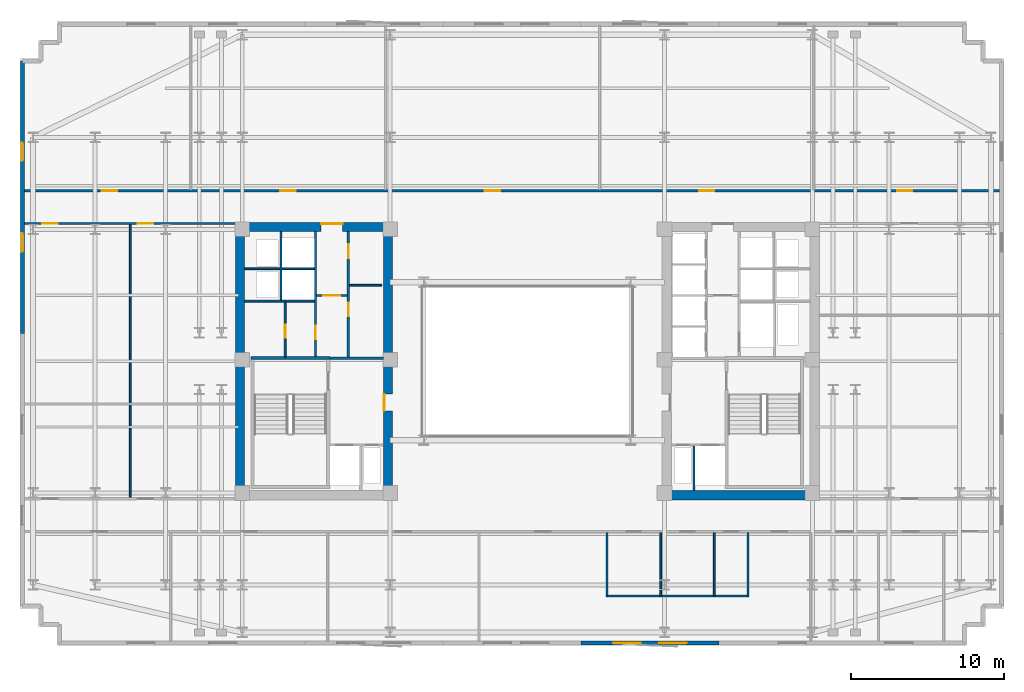
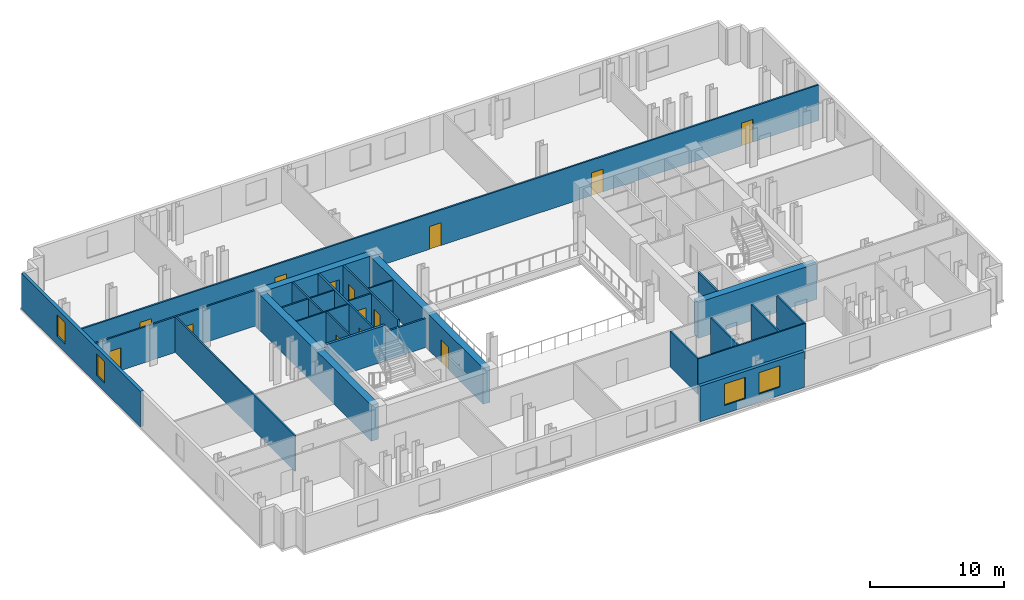
# One storey, part 5 of 9: 26 walls, 14 doors, 4 windows, 18 openings.
"""IFC4 building model written with IfcOpenShell, lengths in metres."""

from ifc_helpers import new_model, si_unit, direction, frame, frame_2d, origin, place, context, subcontext, project, spatial, rectangle, extrude, material, layer, layer_set, type_object, element, fill, save


model = new_model("IFC4")

# Units and contexts
model_context = context("Model", 3, precision=1e-05, world=origin(), true_north=direction((0.0, 1.0)))
body_context = subcontext(model_context, "Body", "Model", "MODEL_VIEW")
ifc_project = project(units=[si_unit("LENGTHUNIT", "METRE"), si_unit("AREAUNIT", "SQUARE_METRE"), si_unit("VOLUMEUNIT", "CUBIC_METRE"), si_unit("PLANEANGLEUNIT", "RADIAN"), si_unit("MASSUNIT", "GRAM", prefix="KILO")], contexts=[model_context])

# Site, building, storey
site_placement = place(None, origin())
site = spatial("IfcSite", under=ifc_project, at=site_placement, CompositionType="ELEMENT")
building_placement = place(site_placement, origin())
building = spatial("IfcBuilding", under=site, at=building_placement, Name="Velakula Bourse", CompositionType="ELEMENT")
storey_placement = place(building_placement, frame((0.0, 0.0, 131.199951171875)))
storey = spatial("IfcBuildingStorey", under=building, at=storey_placement, Name="L35", CompositionType="ELEMENT", Elevation=131.199951171875)

# Wall
ifc_material_1 = material(Name="Concrete M50 (fck 50 MPa)", Category="concrete")
ifc_layer_1 = layer(ifc_material_1, 0.2099609375, Name="Concrete M50 (fck 50 MPa)", Category="concrete")
ifc_layer_set_1 = layer_set([ifc_layer_1], Name="Concrete M50 (fck 50 MPa)")
wall_type_1 = type_object("IfcWallType", Name="WL-CORE-210", PredefinedType="SHEAR", material=ifc_layer_set_1)
wall_1_placement = place(storey_placement, frame((-12.889892578125, 0.205078125, 0.0), z_axis=(0.0, 0.0, 1.0), x_axis=(-1.0, 0.0, 0.0)))
element("IfcWall", 1, at=wall_1_placement, inside=storey, type_object=wall_type_1, Name="L35 Core W Stairwell Shear Wall N", PredefinedType="SHEAR", context=body_context, shape_type="SweptSolid", body=[
    extrude(rectangle(XDim=5.14013671875, YDim=0.2099609375, at=frame_2d((2.570068359375, 0.0))), origin(), (0.0, 0.0, 1.0), 3.27001953125),
])

# Wall, opening, door
ifc_material_2 = material(Name="Concrete M70 (fck 70 MPa)", Category="concrete")
ifc_layer_2 = layer(ifc_material_2, 0.60009765625, Name="Concrete M70 (fck 70 MPa)", Category="concrete")
ifc_layer_set_2 = layer_set([ifc_layer_2], Name="Concrete M70 (fck 70 MPa)")
wall_type_2 = type_object("IfcWallType", Name="WL-CORE-600", PredefinedType="SHEAR", material=ifc_layer_set_2)
wall_2_placement = place(storey_placement, frame((-19.050048828125, 8.75, 0.0), z_axis=(0.0, 0.0, 1.0), x_axis=(1.0, 0.0, 0.0)))
wall_2 = element("IfcWall", 2, at=wall_2_placement, inside=storey, type_object=wall_type_2, Name="L35 Core W Shear Wall N", PredefinedType="SHEAR", context=body_context, shape_type="SweptSolid", body=[
    extrude(rectangle(XDim=10.25, YDim=0.60009765625, at=frame_2d((5.125, 0.0))), origin(), (0.0, 0.0, 1.0), 3.27001953125),
])
opening_1_placement = place(wall_2_placement, frame((5.60009765625, 0.0, 0.0)))
opening_1 = element("IfcOpeningElement", 3, at=opening_1_placement, cuts=wall_2, Name="Opening D-LLW", PredefinedType="OPENING", context=body_context, shape_type="SweptSolid", body=[
    extrude(rectangle(XDim=1.39990234375, YDim=2.050048828125, at=frame_2d((0.699951171875, 1.02490234375))), frame((0.0, 0.31005859375, 0.0), z_axis=(0.0, -1.0, 0.0), x_axis=(1.0, 0.0, 0.0)), (0.0, 0.0, 1.0), 0.6201171875),
])
ifc_material_3 = material(Name="Fire-rated hardwood flush architectural door", Category="wood")
door_type_1 = type_object("IfcDoorType", Name="DR-DBL-FD60-1400", OperationType="DOUBLE_DOOR_SINGLE_SWING", PredefinedType="DOOR", material=ifc_material_3)
door_1_placement = place(opening_1_placement, origin())
door_1 = element("IfcDoor", 4, at=door_1_placement, inside=storey, type_object=door_type_1, Name="L35 Core W Lift Lobby Corridor Double Door", OperationType="DOUBLE_DOOR_SINGLE_SWING", OverallHeight=2.050048828125, OverallWidth=1.39990234375, PredefinedType="DOOR", context=body_context, shape_type="SweptSolid", body=[
    extrude(rectangle(XDim=1.39990234375, YDim=2.050048828125, at=frame_2d((0.699951171875, 1.02490234375))), frame((0.0, 0.2451171875, 0.0), z_axis=(0.0, -1.0, 0.0), x_axis=(1.0, 0.0, 0.0)), (0.0, 0.0, 1.0), 0.050048828125),
])
fill(opening_1, door_1)

# Wall
wall_3_placement = place(storey_placement, frame((-18.75, -8.449951171875, 0.0), z_axis=(0.0, 0.0, 1.0), x_axis=(0.0, 1.0, 0.0)))
element("IfcWall", 5, at=wall_3_placement, inside=storey, type_object=wall_type_2, Name="L35 Core W Shear Wall W", PredefinedType="SHEAR", context=body_context, shape_type="SweptSolid", body=[
    extrude(rectangle(XDim=16.89990234375, YDim=0.60009765625, at=frame_2d((8.449951171875, 0.0))), origin(), (0.0, 0.0, 1.0), 3.27001953125),
])

# Wall, opening, door
wall_4_placement = place(storey_placement, frame((-9.10009765625, -8.449951171875, 0.0), z_axis=(0.0, 0.0, 1.0), x_axis=(0.0, 1.0, 0.0)))
wall_4 = element("IfcWall", 6, at=wall_4_placement, inside=storey, type_object=wall_type_2, Name="L35 Core W Shear Wall E", PredefinedType="SHEAR", context=body_context, shape_type="SweptSolid", body=[
    extrude(rectangle(XDim=16.89990234375, YDim=0.60009765625, at=frame_2d((8.449951171875, 0.0))), origin(), (0.0, 0.0, 1.0), 3.27001953125),
])
opening_2_placement = place(wall_4_placement, frame((5.199951171875, 0.0, 0.0)))
opening_2 = element("IfcOpeningElement", 7, at=opening_2_placement, cuts=wall_4, Name="Opening D-FLW", PredefinedType="OPENING", context=body_context, shape_type="SweptSolid", body=[
    extrude(rectangle(XDim=1.10009765625, YDim=2.080078125, at=frame_2d((0.550048828125, 1.0400390625))), frame((0.0, 0.31005859375, 0.0), z_axis=(0.0, -1.0, 0.0), x_axis=(1.0, 0.0, 0.0)), (0.0, 0.0, 1.0), 0.6201171875),
])
ifc_material_4 = material(Name="Galvanised painted hollow steel fire door", Category="steel")
door_type_2 = type_object("IfcDoorType", Name="DR-FD120-1100", OperationType="NOTDEFINED", PredefinedType="DOOR", material=ifc_material_4)
door_2_placement = place(opening_2_placement, origin())
door_2 = element("IfcDoor", 8, at=door_2_placement, inside=storey, type_object=door_type_2, Name="L35 Firefighting Lobby W Corridor Fire Door", OperationType="SINGLE_SWING_LEFT", OverallHeight=2.080078125, OverallWidth=1.10009765625, PredefinedType="DOOR", context=body_context, shape_type="SweptSolid", body=[
    extrude(rectangle(XDim=1.10009765625, YDim=2.080078125, at=frame_2d((0.550048828125, 1.0400390625))), frame((0.0, 0.2548828125, 0.0), z_axis=(0.0, -1.0, 0.0), x_axis=(1.0, 0.0, 0.0)), (0.0, 0.0, 1.0), 0.050048828125),
])
fill(opening_2, door_2)

# Wall
wall_5_placement = place(storey_placement, frame((8.800048828125, -8.75, 0.0), z_axis=(0.0, 0.0, 1.0), x_axis=(1.0, 0.0, 0.0)))
element("IfcWall", 9, at=wall_5_placement, inside=storey, type_object=wall_type_2, Name="L35 Core E Shear Wall S", PredefinedType="SHEAR", context=body_context, shape_type="SweptSolid", body=[
    extrude(rectangle(XDim=10.25, YDim=0.60009765625, at=frame_2d((5.125, 0.0))), origin(), (0.0, 0.0, 1.0), 3.27001953125),
])

# Wall, openings, windows
ifc_material_5 = material(Name="Red kilned clay facing brick masonry", Category="masonry")
ifc_layer_3 = layer(ifc_material_5, 0.280029296875, Name="Red kilned clay facing brick masonry", Category="masonry")
ifc_layer_set_3 = layer_set([ifc_layer_3], Name="Red kilned clay facing brick masonry")
wall_type_3 = type_object("IfcWallType", Name="WL-EXT-BRK-280", PredefinedType="STANDARD", material=ifc_layer_set_3)
wall_6_placement = place(storey_placement, frame((12.5, -18.389892578125, 0.0), z_axis=(0.0, 0.0, 1.0), x_axis=(-1.0, 0.0, 0.0)))
wall_6 = element("IfcWall", 10, at=wall_6_placement, inside=storey, type_object=wall_type_3, Name="L35 S Brick Spandrel Wall B4", PredefinedType="STANDARD", context=body_context, shape_type="SweptSolid", body=[
    extrude(rectangle(XDim=9.0, YDim=0.280029296875, at=frame_2d((4.5, 0.0))), origin(), (0.0, 0.0, 1.0), 3.25),
])
opening_3_placement = place(wall_6_placement, frame((2.10009765625, 0.0, 0.760009765625)))
opening_3 = element("IfcOpeningElement", 11, at=opening_3_placement, cuts=wall_6, Name="Opening W-01", PredefinedType="OPENING", context=body_context, shape_type="SweptSolid", body=[
    extrude(rectangle(XDim=1.800048828125, YDim=1.949951171875, at=frame_2d((0.89990234375, 0.97509765625))), frame((0.0, 0.14990234375, 0.0), z_axis=(0.0, -1.0, 0.0), x_axis=(1.0, 0.0, 0.0)), (0.0, 0.0, 1.0), 0.300048828125),
])
opening_4_placement = place(wall_6_placement, frame((5.10009765625, 0.0, 0.760009765625)))
opening_4 = element("IfcOpeningElement", 12, at=opening_4_placement, cuts=wall_6, Name="Opening W-01", PredefinedType="OPENING", context=body_context, shape_type="SweptSolid", body=[
    extrude(rectangle(XDim=1.800048828125, YDim=1.949951171875, at=frame_2d((0.89990234375, 0.97509765625))), frame((0.0, 0.14990234375, 0.0), z_axis=(0.0, -1.0, 0.0), x_axis=(1.0, 0.0, 0.0)), (0.0, 0.0, 1.0), 0.300048828125),
])
ifc_material_6 = material(Name="Double-glazed solar-control Low-E glass", Category="glass")
window_type_1 = type_object("IfcWindowType", Name="WIN-TWR-1800x2100", PartitioningType="SINGLE_PANEL", PredefinedType="WINDOW", material=ifc_material_6)
window_1_placement = place(opening_3_placement, origin())
window_1 = element("IfcWindow", 13, at=window_1_placement, inside=storey, type_object=window_type_1, Name="L35 Deep-Set Recessed Window 1", OverallHeight=1.949951171875, OverallWidth=1.800048828125, PartitioningType="SINGLE_PANEL", PredefinedType="WINDOW", context=body_context, shape_type="SweptSolid", body=[
    extrude(rectangle(XDim=1.800048828125, YDim=1.949951171875, at=frame_2d((0.89990234375, 0.97509765625))), frame((0.0, 0.030029296875, 0.0), z_axis=(0.0, -1.0, 0.0), x_axis=(1.0, 0.0, 0.0)), (0.0, 0.0, 1.0), 0.06005859375),
])
fill(opening_3, window_1)
window_2_placement = place(opening_4_placement, origin())
window_2 = element("IfcWindow", 14, at=window_2_placement, inside=storey, type_object=window_type_1, Name="L35 Deep-Set Recessed Window 2", OverallHeight=1.949951171875, OverallWidth=1.800048828125, PartitioningType="SINGLE_PANEL", PredefinedType="WINDOW", context=body_context, shape_type="SweptSolid", body=[
    extrude(rectangle(XDim=1.800048828125, YDim=1.949951171875, at=frame_2d((0.89990234375, 0.97509765625))), frame((0.0, 0.030029296875, 0.0), z_axis=(0.0, -1.0, 0.0), x_axis=(1.0, 0.0, 0.0)), (0.0, 0.0, 1.0), 0.06005859375),
])
fill(opening_4, window_2)

wall_7_placement = place(storey_placement, frame((-32.93994140625, 1.800048828125, 0.0), z_axis=(0.0, 0.0, 1.0), x_axis=(0.0, 1.0, 0.0)))
wall_7 = element("IfcWall", 15, at=wall_7_placement, inside=storey, type_object=wall_type_3, Name="L35 W Brick End Wall W2", PredefinedType="STANDARD", context=body_context, shape_type="SweptSolid", body=[
    extrude(rectangle(XDim=17.7900390625, YDim=0.280029296875, at=frame_2d((8.89501953125, 0.0))), origin(), (0.0, 0.0, 1.0), 3.25),
])
opening_5_placement = place(wall_7_placement, frame((5.330078125, 0.0, 0.760009765625)))
opening_5 = element("IfcOpeningElement", 16, at=opening_5_placement, cuts=wall_7, Name="Opening W-04", PredefinedType="OPENING", context=body_context, shape_type="SweptSolid", body=[
    extrude(rectangle(XDim=1.199951171875, YDim=1.949951171875, at=frame_2d((0.60009765625, 0.97509765625))), frame((0.0, 0.14990234375, 0.0), z_axis=(0.0, -1.0, 0.0), x_axis=(1.0, 0.0, 0.0)), (0.0, 0.0, 1.0), 0.300048828125),
])
opening_6_placement = place(wall_7_placement, frame((11.260009765625, 0.0, 0.760009765625)))
opening_6 = element("IfcOpeningElement", 17, at=opening_6_placement, cuts=wall_7, Name="Opening W-04", PredefinedType="OPENING", context=body_context, shape_type="SweptSolid", body=[
    extrude(rectangle(XDim=1.199951171875, YDim=1.949951171875, at=frame_2d((0.60009765625, 0.97509765625))), frame((0.0, 0.14990234375, 0.0), z_axis=(0.0, -1.0, 0.0), x_axis=(1.0, 0.0, 0.0)), (0.0, 0.0, 1.0), 0.300048828125),
])
window_type_2 = type_object("IfcWindowType", Name="WIN-TWR-1200x2100", PartitioningType="SINGLE_PANEL", PredefinedType="WINDOW", material=ifc_material_6)
window_3_placement = place(opening_5_placement, origin())
window_3 = element("IfcWindow", 18, at=window_3_placement, inside=storey, type_object=window_type_2, Name="L35 Deep-Set Recessed Window 1", OverallHeight=1.949951171875, OverallWidth=1.199951171875, PartitioningType="SINGLE_PANEL", PredefinedType="WINDOW", context=body_context, shape_type="SweptSolid", body=[
    extrude(rectangle(XDim=1.199951171875, YDim=1.949951171875, at=frame_2d((0.60009765625, 0.97509765625))), frame((0.0, 0.030029296875, 0.0), z_axis=(0.0, -1.0, 0.0), x_axis=(1.0, 0.0, 0.0)), (0.0, 0.0, 1.0), 0.06005859375),
])
fill(opening_5, window_3)
window_4_placement = place(opening_6_placement, origin())
window_4 = element("IfcWindow", 19, at=window_4_placement, inside=storey, type_object=window_type_2, Name="L35 Deep-Set Recessed Window 2", OverallHeight=1.949951171875, OverallWidth=1.199951171875, PartitioningType="SINGLE_PANEL", PredefinedType="WINDOW", context=body_context, shape_type="SweptSolid", body=[
    extrude(rectangle(XDim=1.199951171875, YDim=1.949951171875, at=frame_2d((0.60009765625, 0.97509765625))), frame((0.0, 0.030029296875, 0.0), z_axis=(0.0, -1.0, 0.0), x_axis=(1.0, 0.0, 0.0)), (0.0, 0.0, 1.0), 0.06005859375),
])
fill(opening_6, window_4)

# Wall, opening, door
ifc_material_7 = material(Name="Fire-rated double-layer gypsum drywall partition", Category="gypsum")
ifc_layer_4 = layer(ifc_material_7, 0.1201171875, Name="Fire-rated double-layer gypsum drywall partition", Category="gypsum")
ifc_layer_set_4 = layer_set([ifc_layer_4], Name="Fire-rated double-layer gypsum drywall partition")
wall_type_4 = type_object("IfcWallType", Name="WL-PART-120", PredefinedType="STANDARD", material=ifc_layer_set_4)
wall_8_placement = place(storey_placement, frame((-13.75, 4.280029296875, 0.0), z_axis=(0.0, 0.0, 1.0), x_axis=(1.0, 0.0, 0.0)))
wall_8 = element("IfcWall", 20, at=wall_8_placement, inside=storey, type_object=wall_type_4, Name="L35 Interior Partition WL-CRW-L35-LL-K2", PredefinedType="STANDARD", context=body_context, shape_type="SweptSolid", body=[
    extrude(rectangle(XDim=2.0, YDim=0.1201171875, at=frame_2d((1.0, 0.0))), origin(), (0.0, 0.0, 1.0), 3.25),
])
opening_7_placement = place(wall_8_placement, frame((0.449951171875, 0.0, 0.0)))
opening_7 = element("IfcOpeningElement", 21, at=opening_7_placement, cuts=wall_8, Name="Opening D-LK2", PredefinedType="OPENING", context=body_context, shape_type="SweptSolid", body=[
    extrude(rectangle(XDim=1.10009765625, YDim=2.10009765625, at=frame_2d((0.550048828125, 1.050048828125))), frame((0.0, 0.070068359375, 0.0), z_axis=(0.0, -1.0, 0.0), x_axis=(1.0, 0.0, 0.0)), (0.0, 0.0, 1.0), 0.14013671875),
])
door_type_3 = type_object("IfcDoorType", Name="DR-FD60-1100x2100", OperationType="NOTDEFINED", PredefinedType="DOOR", material=ifc_material_3)
door_3_placement = place(opening_7_placement, origin())
door_3 = element("IfcDoor", 22, at=door_3_placement, inside=storey, type_object=door_type_3, Name="L35 Core W Lift Lobby Zone Door", OperationType="SINGLE_SWING_RIGHT", OverallHeight=2.10009765625, OverallWidth=1.10009765625, PredefinedType="DOOR", context=body_context, shape_type="SweptSolid", body=[
    extrude(rectangle(XDim=1.10009765625, YDim=2.10009765625, at=frame_2d((0.550048828125, 1.050048828125))), frame((0.0, 0.02490234375, 0.0), z_axis=(0.0, -1.0, 0.0), x_axis=(1.0, 0.0, 0.0)), (0.0, 0.0, 1.0), 0.050048828125),
])
fill(opening_7, door_3)

# Walls
wall_9_placement = place(storey_placement, frame((-11.60009765625, 4.949951171875, 0.0), z_axis=(0.0, 0.0, 1.0), x_axis=(1.0, 0.0, 0.0)))
element("IfcWall", 23, at=wall_9_placement, inside=storey, type_object=wall_type_4, Name="L35 Interior Partition WL-CRW-L35-RCDIV", PredefinedType="STANDARD", context=body_context, shape_type="SweptSolid", body=[
    extrude(rectangle(XDim=2.10009765625, YDim=0.1201171875, at=frame_2d((1.050048828125, 0.0))), origin(), (0.0, 0.0, 1.0), 3.25),
])
wall_10_placement = place(storey_placement, frame((-18.449951171875, 3.919921875, 0.0), z_axis=(0.0, 0.0, 1.0), x_axis=(1.0, 0.0, 0.0)))
element("IfcWall", 24, at=wall_10_placement, inside=storey, type_object=wall_type_4, Name="L35 Interior Partition WL-CRW-L35-HI-S", PredefinedType="STANDARD", context=body_context, shape_type="SweptSolid", body=[
    extrude(rectangle(XDim=4.550048828125, YDim=0.1201171875, at=frame_2d((2.27490234375, 0.0))), origin(), (0.0, 0.0, 1.0), 3.25),
])
wall_11_placement = place(storey_placement, frame((-18.449951171875, 6.030029296875, 0.0), z_axis=(0.0, 0.0, 1.0), x_axis=(1.0, 0.0, 0.0)))
element("IfcWall", 25, at=wall_11_placement, inside=storey, type_object=wall_type_4, Name="L35 Interior Partition WL-CRW-L35-RIS-MID", PredefinedType="STANDARD", context=body_context, shape_type="SweptSolid", body=[
    extrude(rectangle(XDim=2.300048828125, YDim=0.1201171875, at=frame_2d((1.14990234375, 0.0))), origin(), (0.0, 0.0, 1.0), 3.25),
])
wall_12_placement = place(storey_placement, frame((-16.074951171875, 3.97998046875, 0.0), z_axis=(0.0, 0.0, 1.0), x_axis=(0.0, 1.0, 0.0)))
element("IfcWall", 26, at=wall_12_placement, inside=storey, type_object=wall_type_4, Name="L35 Interior Partition WL-CRW-L35-RIS-F", PredefinedType="STANDARD", context=body_context, shape_type="SweptSolid", body=[
    extrude(rectangle(XDim=4.469970703125, YDim=0.1201171875, at=frame_2d((2.23486328125, 0.0))), origin(), (0.0, 0.0, 1.0), 3.25),
])
wall_13_placement = place(storey_placement, frame((-16.0, 6.030029296875, 0.0), z_axis=(0.0, 0.0, 1.0), x_axis=(1.0, 0.0, 0.0)))
element("IfcWall", 27, at=wall_13_placement, inside=storey, type_object=wall_type_4, Name="L35 Interior Partition WL-CRW-L35-HI-DIV", PredefinedType="STANDARD", context=body_context, shape_type="SweptSolid", body=[
    extrude(rectangle(XDim=2.10009765625, YDim=0.1201171875, at=frame_2d((1.050048828125, 0.0))), origin(), (0.0, 0.0, 1.0), 3.25),
])

# Wall, opening, door
wall_14_placement = place(storey_placement, frame((-15.800048828125, 0.27001953125, 0.0), z_axis=(0.0, 0.0, 1.0), x_axis=(0.0, 1.0, 0.0)))
wall_14 = element("IfcWall", 28, at=wall_14_placement, inside=storey, type_object=wall_type_4, Name="L35 Interior Partition WL-CRW-L35-K2", PredefinedType="STANDARD", context=body_context, shape_type="SweptSolid", body=[
    extrude(rectangle(XDim=3.590087890625, YDim=0.1201171875, at=frame_2d((1.794921875, 0.0))), origin(), (0.0, 0.0, 1.0), 3.25),
])
opening_8_placement = place(wall_14_placement, frame((1.25, 0.0, 0.0)))
opening_8 = element("IfcOpeningElement", 29, at=opening_8_placement, cuts=wall_14, Name="Opening D-CE1", PredefinedType="OPENING", context=body_context, shape_type="SweptSolid", body=[
    extrude(rectangle(XDim=0.85009765625, YDim=2.050048828125, at=frame_2d((0.425048828125, 1.02490234375))), frame((0.0, 0.070068359375, 0.0), z_axis=(0.0, -1.0, 0.0), x_axis=(1.0, 0.0, 0.0)), (0.0, 0.0, 1.0), 0.14013671875),
])
door_type_4 = type_object("IfcDoorType", Name="DR-INT-850", OperationType="NOTDEFINED", PredefinedType="DOOR", material=ifc_material_3)
door_4_placement = place(opening_8_placement, origin())
door_4 = element("IfcDoor", 30, at=door_4_placement, inside=storey, type_object=door_type_4, Name="L35 Core Equipment Store Door", OperationType="SINGLE_SWING_RIGHT", OverallHeight=2.050048828125, OverallWidth=0.85009765625, PredefinedType="DOOR", context=body_context, shape_type="SweptSolid", body=[
    extrude(rectangle(XDim=0.85009765625, YDim=2.050048828125, at=frame_2d((0.425048828125, 1.02490234375))), frame((0.0, 0.02490234375, 0.0), z_axis=(0.0, -1.0, 0.0), x_axis=(1.0, 0.0, 0.0)), (0.0, 0.0, 1.0), 0.050048828125),
])
fill(opening_8, door_4)

# Walls
wall_15_placement = place(storey_placement, frame((5.139892578125, -15.320068359375, 0.0), z_axis=(0.0, 0.0, 1.0), x_axis=(1.0, 0.0, 0.0)))
element("IfcWall", 31, at=wall_15_placement, inside=storey, type_object=wall_type_4, Name="L35 Interior Partition WL-WC-L35-BACK", PredefinedType="STANDARD", context=body_context, shape_type="SweptSolid", body=[
    extrude(rectangle(XDim=9.320068359375, YDim=0.1201171875, at=frame_2d((4.66015625, 0.0))), origin(), (0.0, 0.0, 1.0), 3.25),
])
for number, where, z_axis, x_axis, name in (
    (32, (5.199951171875, -15.320068359375, 0.0), (0.0, 0.0, 1.0), (0.0, 1.0, 0.0), "L35 Interior Partition WL-WC-L35-V1"),
    (33, (8.699951171875, -15.320068359375, 0.0), (0.0, 0.0, 1.0), (0.0, 1.0, 0.0), "L35 Interior Partition WL-WC-L35-V2"),
    (34, (12.199951171875, -15.320068359375, 0.0), (0.0, 0.0, 1.0), (0.0, 1.0, 0.0), "L35 Interior Partition WL-WC-L35-V3"),
    (35, (14.39990234375, -15.320068359375, 0.0), (0.0, 0.0, 1.0), (0.0, 1.0, 0.0), "L35 Interior Partition WL-WC-L35-V4"),
):
    element("IfcWall", number, at=place(storey_placement, frame(where, z_axis=z_axis, x_axis=x_axis)), inside=storey, type_object=wall_type_4, Name=name, PredefinedType="STANDARD", context=body_context, shape_type="SweptSolid", body=[
        extrude(rectangle(XDim=4.130126953125, YDim=0.1201171875, at=frame_2d((2.06494140625, 0.0))), origin(), (0.0, 0.0, 1.0), 3.25),
    ])
wall_16_placement = place(storey_placement, frame((-25.905029296875, -8.97998046875, 0.0), z_axis=(0.0, 0.0, 1.0), x_axis=(0.0, 1.0, 0.0)))
element("IfcWall", 36, at=wall_16_placement, inside=storey, type_object=wall_type_4, Name="L35 Interior Partition WL-INT-L35-W-V1", PredefinedType="STANDARD", context=body_context, shape_type="SweptSolid", body=[
    extrude(rectangle(XDim=17.9599609375, YDim=0.1201171875, at=frame_2d((8.97998046875, 0.0))), origin(), (0.0, 0.0, 1.0), 3.25),
])

# Wall, openings, doors
ifc_layer_5 = layer(ifc_material_7, 0.139892578125, Name="Fire-rated double-layer gypsum drywall partition", Category="gypsum")
ifc_layer_set_5 = layer_set([ifc_layer_5], Name="Fire-rated double-layer gypsum drywall partition")
wall_type_5 = type_object("IfcWallType", Name="WL-PART-140", PredefinedType="STANDARD", material=ifc_layer_set_5)
wall_17_placement = place(storey_placement, frame((-32.820068359375, 11.1201171875, 0.0), z_axis=(0.0, 0.0, 1.0), x_axis=(1.0, 0.0, 0.0)))
wall_17 = element("IfcWall", 37, at=wall_17_placement, inside=storey, type_object=wall_type_5, Name="L35 Interior Partition WL-INT-L35-N-CORR", PredefinedType="STANDARD", context=body_context, shape_type="SweptSolid", body=[
    extrude(rectangle(XDim=63.64013671875, YDim=0.139892578125, at=frame_2d((31.820068359375, 0.0))), origin(), (0.0, 0.0, 1.0), 3.25),
])
opening_9_placement = place(wall_17_placement, frame((5.054931640625, 0.0, 0.0)))
opening_9 = element("IfcOpeningElement", 38, at=opening_9_placement, cuts=wall_17, Name="Opening D-OF1", PredefinedType="OPENING", context=body_context, shape_type="SweptSolid", body=[
    extrude(rectangle(XDim=1.0, YDim=2.080078125, at=frame_2d((0.5, 1.0400390625))), frame((0.0, 0.079833984375, 0.0), z_axis=(0.0, -1.0, 0.0), x_axis=(1.0, 0.0, 0.0)), (0.0, 0.0, 1.0), 0.159912109375),
])
opening_10_placement = place(wall_17_placement, frame((16.7099609375, 0.0, 0.0)))
opening_10 = element("IfcOpeningElement", 39, at=opening_10_placement, cuts=wall_17, Name="Opening D-OF1", PredefinedType="OPENING", context=body_context, shape_type="SweptSolid", body=[
    extrude(rectangle(XDim=1.0, YDim=2.080078125, at=frame_2d((0.5, 1.0400390625))), frame((0.0, 0.079833984375, 0.0), z_axis=(0.0, -1.0, 0.0), x_axis=(1.0, 0.0, 0.0)), (0.0, 0.0, 1.0), 0.159912109375),
])
opening_11_placement = place(wall_17_placement, frame((30.049560546875, 0.0, 0.0)))
opening_11 = element("IfcOpeningElement", 40, at=opening_11_placement, cuts=wall_17, Name="Opening D-OF1", PredefinedType="OPENING", context=body_context, shape_type="SweptSolid", body=[
    extrude(rectangle(XDim=1.0, YDim=2.080078125, at=frame_2d((0.5, 1.0400390625))), frame((0.0, 0.079833984375, 0.0), z_axis=(0.0, -1.0, 0.0), x_axis=(1.0, 0.0, 0.0)), (0.0, 0.0, 1.0), 0.159912109375),
])
opening_12_placement = place(wall_17_placement, frame((44.02392578125, 0.0, 0.0)))
opening_12 = element("IfcOpeningElement", 41, at=opening_12_placement, cuts=wall_17, Name="Opening D-OF1", PredefinedType="OPENING", context=body_context, shape_type="SweptSolid", body=[
    extrude(rectangle(XDim=1.0, YDim=2.080078125, at=frame_2d((0.5, 1.0400390625))), frame((0.0, 0.079833984375, 0.0), z_axis=(0.0, -1.0, 0.0), x_axis=(1.0, 0.0, 0.0)), (0.0, 0.0, 1.0), 0.159912109375),
])
opening_13_placement = place(wall_17_placement, frame((56.949462890625, 0.0, 0.0)))
opening_13 = element("IfcOpeningElement", 42, at=opening_13_placement, cuts=wall_17, Name="Opening D-OF1", PredefinedType="OPENING", context=body_context, shape_type="SweptSolid", body=[
    extrude(rectangle(XDim=1.0, YDim=2.080078125, at=frame_2d((0.5, 1.0400390625))), frame((0.0, 0.079833984375, 0.0), z_axis=(0.0, -1.0, 0.0), x_axis=(1.0, 0.0, 0.0)), (0.0, 0.0, 1.0), 0.159912109375),
])
door_type_5 = type_object("IfcDoorType", Name="DR-OFF-1000", OperationType="NOTDEFINED", PredefinedType="DOOR", material=ifc_material_3)
door_5_placement = place(opening_9_placement, origin())
door_5 = element("IfcDoor", 43, at=door_5_placement, inside=storey, type_object=door_type_5, Name="L35 Sovereign Wealth Desk Workspace Door", OperationType="SINGLE_SWING_LEFT", OverallHeight=2.080078125, OverallWidth=1.0, PredefinedType="DOOR", context=body_context, shape_type="SweptSolid", body=[
    extrude(rectangle(XDim=1.0, YDim=2.080078125, at=frame_2d((0.5, 1.0400390625))), frame((0.0, 0.02490234375, 0.0), z_axis=(0.0, -1.0, 0.0), x_axis=(1.0, 0.0, 0.0)), (0.0, 0.0, 1.0), 0.050048828125),
])
fill(opening_9, door_5)
door_6_placement = place(opening_10_placement, origin())
door_6 = element("IfcDoor", 44, at=door_6_placement, inside=storey, type_object=door_type_5, Name="L35 Peer Review Boardroom Door", OperationType="SINGLE_SWING_RIGHT", OverallHeight=2.080078125, OverallWidth=1.0, PredefinedType="DOOR", context=body_context, shape_type="SweptSolid", body=[
    extrude(rectangle(XDim=1.0, YDim=2.080078125, at=frame_2d((0.5, 1.0400390625))), frame((0.0, 0.02490234375, 0.0), z_axis=(0.0, -1.0, 0.0), x_axis=(1.0, 0.0, 0.0)), (0.0, 0.0, 1.0), 0.050048828125),
])
fill(opening_10, door_6)
door_7_placement = place(opening_11_placement, origin())
door_7 = element("IfcDoor", 45, at=door_7_placement, inside=storey, type_object=door_type_5, Name="L35 Catering Servery Pantry Door", OperationType="SINGLE_SWING_LEFT", OverallHeight=2.080078125, OverallWidth=1.0, PredefinedType="DOOR", context=body_context, shape_type="SweptSolid", body=[
    extrude(rectangle(XDim=1.0, YDim=2.080078125, at=frame_2d((0.5, 1.0400390625))), frame((0.0, 0.02490234375, 0.0), z_axis=(0.0, -1.0, 0.0), x_axis=(1.0, 0.0, 0.0)), (0.0, 0.0, 1.0), 0.050048828125),
])
fill(opening_11, door_7)
door_8_placement = place(opening_12_placement, origin())
door_8 = element("IfcDoor", 46, at=door_8_placement, inside=storey, type_object=door_type_5, Name="L35 Breakout Dining Lounge Door", OperationType="SINGLE_SWING_RIGHT", OverallHeight=2.080078125, OverallWidth=1.0, PredefinedType="DOOR", context=body_context, shape_type="SweptSolid", body=[
    extrude(rectangle(XDim=1.0, YDim=2.080078125, at=frame_2d((0.5, 1.0400390625))), frame((0.0, 0.02490234375, 0.0), z_axis=(0.0, -1.0, 0.0), x_axis=(1.0, 0.0, 0.0)), (0.0, 0.0, 1.0), 0.050048828125),
])
fill(opening_12, door_8)
door_9_placement = place(opening_13_placement, origin())
door_9 = element("IfcDoor", 47, at=door_9_placement, inside=storey, type_object=door_type_5, Name="L35 Bullion Assay Office Door", OperationType="SINGLE_SWING_LEFT", OverallHeight=2.080078125, OverallWidth=1.0, PredefinedType="DOOR", context=body_context, shape_type="SweptSolid", body=[
    extrude(rectangle(XDim=1.0, YDim=2.080078125, at=frame_2d((0.5, 1.0400390625))), frame((0.0, 0.02490234375, 0.0), z_axis=(0.0, -1.0, 0.0), x_axis=(1.0, 0.0, 0.0)), (0.0, 0.0, 1.0), 0.050048828125),
])
fill(opening_13, door_9)

wall_18_placement = place(storey_placement, frame((-32.820068359375, 8.97998046875, 0.0), z_axis=(0.0, 0.0, 1.0), x_axis=(1.0, 0.0, 0.0)))
wall_18 = element("IfcWall", 48, at=wall_18_placement, inside=storey, type_object=wall_type_5, Name="L35 Interior Partition WL-INT-L35-W-NC", PredefinedType="STANDARD", context=body_context, shape_type="SweptSolid", body=[
    extrude(rectangle(XDim=13.77001953125, YDim=0.139892578125, at=frame_2d((6.885009765625, 0.0))), origin(), (0.0, 0.0, 1.0), 3.25),
])
opening_14_placement = place(wall_18_placement, frame((1.17138671875, 0.0, 0.0)))
opening_14 = element("IfcOpeningElement", 49, at=opening_14_placement, cuts=wall_18, Name="Opening D-OF1", PredefinedType="OPENING", context=body_context, shape_type="SweptSolid", body=[
    extrude(rectangle(XDim=1.0, YDim=2.080078125, at=frame_2d((0.5, 1.0400390625))), frame((0.0, 0.079833984375, 0.0), z_axis=(0.0, -1.0, 0.0), x_axis=(1.0, 0.0, 0.0)), (0.0, 0.0, 1.0), 0.159912109375),
])
opening_15_placement = place(wall_18_placement, frame((7.4130859375, 0.0, 0.0)))
opening_15 = element("IfcOpeningElement", 50, at=opening_15_placement, cuts=wall_18, Name="Opening D-OF1", PredefinedType="OPENING", context=body_context, shape_type="SweptSolid", body=[
    extrude(rectangle(XDim=1.0, YDim=2.080078125, at=frame_2d((0.5, 1.0400390625))), frame((0.0, 0.079833984375, 0.0), z_axis=(0.0, -1.0, 0.0), x_axis=(1.0, 0.0, 0.0)), (0.0, 0.0, 1.0), 0.159912109375),
])
door_10_placement = place(opening_14_placement, origin())
door_10 = element("IfcDoor", 51, at=door_10_placement, inside=storey, type_object=door_type_5, Name="L35 Issuer Relations Office Door", OperationType="SINGLE_SWING_LEFT", OverallHeight=2.080078125, OverallWidth=1.0, PredefinedType="DOOR", context=body_context, shape_type="SweptSolid", body=[
    extrude(rectangle(XDim=1.0, YDim=2.080078125, at=frame_2d((0.5, 1.0400390625))), frame((0.0, 0.02490234375, 0.0), z_axis=(0.0, -1.0, 0.0), x_axis=(1.0, 0.0, 0.0)), (0.0, 0.0, 1.0), 0.050048828125),
])
fill(opening_14, door_10)
door_11_placement = place(opening_15_placement, origin())
door_11 = element("IfcDoor", 52, at=door_11_placement, inside=storey, type_object=door_type_5, Name="L35 Clearing Committee Room Door", OperationType="SINGLE_SWING_RIGHT", OverallHeight=2.080078125, OverallWidth=1.0, PredefinedType="DOOR", context=body_context, shape_type="SweptSolid", body=[
    extrude(rectangle(XDim=1.0, YDim=2.080078125, at=frame_2d((0.5, 1.0400390625))), frame((0.0, 0.02490234375, 0.0), z_axis=(0.0, -1.0, 0.0), x_axis=(1.0, 0.0, 0.0)), (0.0, 0.0, 1.0), 0.050048828125),
])
fill(opening_15, door_11)

# Wall
ifc_material_8 = material(Name="Autoclaved aerated concrete blockwork masonry", Category="masonry")
ifc_layer_6 = layer(ifc_material_8, 0.14990234375, Name="Autoclaved aerated concrete blockwork masonry", Category="masonry")
ifc_layer_set_6 = layer_set([ifc_layer_6], Name="Autoclaved aerated concrete blockwork masonry")
wall_type_6 = type_object("IfcWallType", Name="WL-SHAFT-150", PredefinedType="STANDARD", material=ifc_layer_set_6)
wall_19_placement = place(storey_placement, frame((-12.889892578125, 0.18994140625, 0.0), z_axis=(0.0, 0.0, 1.0), x_axis=(1.0, 0.0, 0.0)))
element("IfcWall", 53, at=wall_19_placement, inside=storey, type_object=wall_type_6, Name="L35 Interior Partition WL-CRW-L35-FF-TOP", PredefinedType="STANDARD", context=body_context, shape_type="SweptSolid", body=[
    extrude(rectangle(XDim=3.489990234375, YDim=0.14990234375, at=frame_2d((1.7451171875, 0.0))), origin(), (0.0, 0.0, 1.0), 2.64501953125),
])

# Wall, openings, doors
wall_20_placement = place(storey_placement, frame((-11.675048828125, 0.27001953125, 0.0), z_axis=(0.0, 0.0, 1.0), x_axis=(0.0, 1.0, 0.0)))
wall_20 = element("IfcWall", 54, at=wall_20_placement, inside=storey, type_object=wall_type_6, Name="L35 Interior Partition WL-CRW-L35-BANK-F", PredefinedType="STANDARD", context=body_context, shape_type="SweptSolid", body=[
    extrude(rectangle(XDim=8.179931640625, YDim=0.14990234375, at=frame_2d((4.08984375, 0.0))), origin(), (0.0, 0.0, 1.0), 3.25),
])
opening_16_placement = place(wall_20_placement, frame((2.64990234375, 0.0, 0.0)))
opening_16 = element("IfcOpeningElement", 55, at=opening_16_placement, cuts=wall_20, Name="Opening D-RC1", PredefinedType="OPENING", context=body_context, shape_type="SweptSolid", body=[
    extrude(rectangle(XDim=0.89990234375, YDim=2.050048828125, at=frame_2d((0.449951171875, 1.02490234375))), frame((0.0, 0.0849609375, 0.0), z_axis=(0.0, -1.0, 0.0), x_axis=(1.0, 0.0, 0.0)), (0.0, 0.0, 1.0), 0.169921875),
])
opening_17_placement = place(wall_20_placement, frame((6.449951171875, 0.0, 0.0)))
opening_17 = element("IfcOpeningElement", 56, at=opening_17_placement, cuts=wall_20, Name="Opening D-RC1", PredefinedType="OPENING", context=body_context, shape_type="SweptSolid", body=[
    extrude(rectangle(XDim=0.89990234375, YDim=2.050048828125, at=frame_2d((0.449951171875, 1.02490234375))), frame((0.0, 0.0849609375, 0.0), z_axis=(0.0, -1.0, 0.0), x_axis=(1.0, 0.0, 0.0)), (0.0, 0.0, 1.0), 0.169921875),
])
door_type_6 = type_object("IfcDoorType", Name="DR-FD60-900", OperationType="NOTDEFINED", PredefinedType="DOOR", material=ifc_material_3)
door_12_placement = place(opening_16_placement, origin())
door_12 = element("IfcDoor", 57, at=door_12_placement, inside=storey, type_object=door_type_6, Name="L35 Reclaimed Archive Room Door", OperationType="SINGLE_SWING_RIGHT", OverallHeight=2.050048828125, OverallWidth=0.89990234375, PredefinedType="DOOR", context=body_context, shape_type="SweptSolid", body=[
    extrude(rectangle(XDim=0.89990234375, YDim=2.050048828125, at=frame_2d((0.449951171875, 1.02490234375))), frame((0.0, 0.02490234375, 0.0), z_axis=(0.0, -1.0, 0.0), x_axis=(1.0, 0.0, 0.0)), (0.0, 0.0, 1.0), 0.050048828125),
])
fill(opening_16, door_12)
door_13_placement = place(opening_17_placement, origin())
door_13 = element("IfcDoor", 58, at=door_13_placement, inside=storey, type_object=door_type_6, Name="L35 Reclaimed Registry Store Door", OperationType="SINGLE_SWING_LEFT", OverallHeight=2.050048828125, OverallWidth=0.89990234375, PredefinedType="DOOR", context=body_context, shape_type="SweptSolid", body=[
    extrude(rectangle(XDim=0.89990234375, YDim=2.050048828125, at=frame_2d((0.449951171875, 1.02490234375))), frame((0.0, 0.02490234375, 0.0), z_axis=(0.0, -1.0, 0.0), x_axis=(1.0, 0.0, 0.0)), (0.0, 0.0, 1.0), 0.050048828125),
])
fill(opening_17, door_13)

# Wall, opening, door
wall_21_placement = place(storey_placement, frame((-13.824951171875, 0.27001953125, 0.0), z_axis=(0.0, 0.0, 1.0), x_axis=(0.0, 1.0, 0.0)))
wall_21 = element("IfcWall", 59, at=wall_21_placement, inside=storey, type_object=wall_type_6, Name="L35 Interior Partition WL-CRW-L35-OUT-F", PredefinedType="STANDARD", context=body_context, shape_type="SweptSolid", body=[
    extrude(rectangle(XDim=8.179931640625, YDim=0.14990234375, at=frame_2d((4.08984375, 0.0))), origin(), (0.0, 0.0, 1.0), 3.25),
])
opening_18_placement = place(wall_21_placement, frame((1.14990234375, 0.0, 0.0)))
opening_18 = element("IfcOpeningElement", 60, at=opening_18_placement, cuts=wall_21, Name="Opening D-CP1", PredefinedType="OPENING", context=body_context, shape_type="SweptSolid", body=[
    extrude(rectangle(XDim=0.89990234375, YDim=2.050048828125, at=frame_2d((0.449951171875, 1.02490234375))), frame((0.0, 0.0849609375, 0.0), z_axis=(0.0, -1.0, 0.0), x_axis=(1.0, 0.0, 0.0)), (0.0, 0.0, 1.0), 0.169921875),
])
door_type_7 = type_object("IfcDoorType", Name="DR-INT-900", OperationType="NOTDEFINED", PredefinedType="DOOR", material=ifc_material_3)
door_14_placement = place(opening_18_placement, origin())
door_14 = element("IfcDoor", 61, at=door_14_placement, inside=storey, type_object=door_type_7, Name="L35 Core Tea Pantry Door", OperationType="SINGLE_SWING_RIGHT", OverallHeight=2.050048828125, OverallWidth=0.89990234375, PredefinedType="DOOR", context=body_context, shape_type="SweptSolid", body=[
    extrude(rectangle(XDim=0.89990234375, YDim=2.050048828125, at=frame_2d((0.449951171875, 1.02490234375))), frame((0.0, 0.02490234375, 0.0), z_axis=(0.0, -1.0, 0.0), x_axis=(1.0, 0.0, 0.0)), (0.0, 0.0, 1.0), 0.050048828125),
])
fill(opening_18, door_14)

# Wall
wall_22_placement = place(storey_placement, frame((10.875, -8.449951171875, 0.0), z_axis=(0.0, 0.0, 1.0), x_axis=(0.0, 1.0, 0.0)))
element("IfcWall", 62, at=wall_22_placement, inside=storey, type_object=wall_type_6, Name="L35 Interior Partition WL-CRE-L35-FR-DIV", PredefinedType="STANDARD", context=body_context, shape_type="SweptSolid", body=[
    extrude(rectangle(XDim=2.89990234375, YDim=0.14990234375, at=frame_2d((1.449951171875, 0.0))), origin(), (0.0, 0.0, 1.0), 3.25),
])

save(model, "model.ifc")
